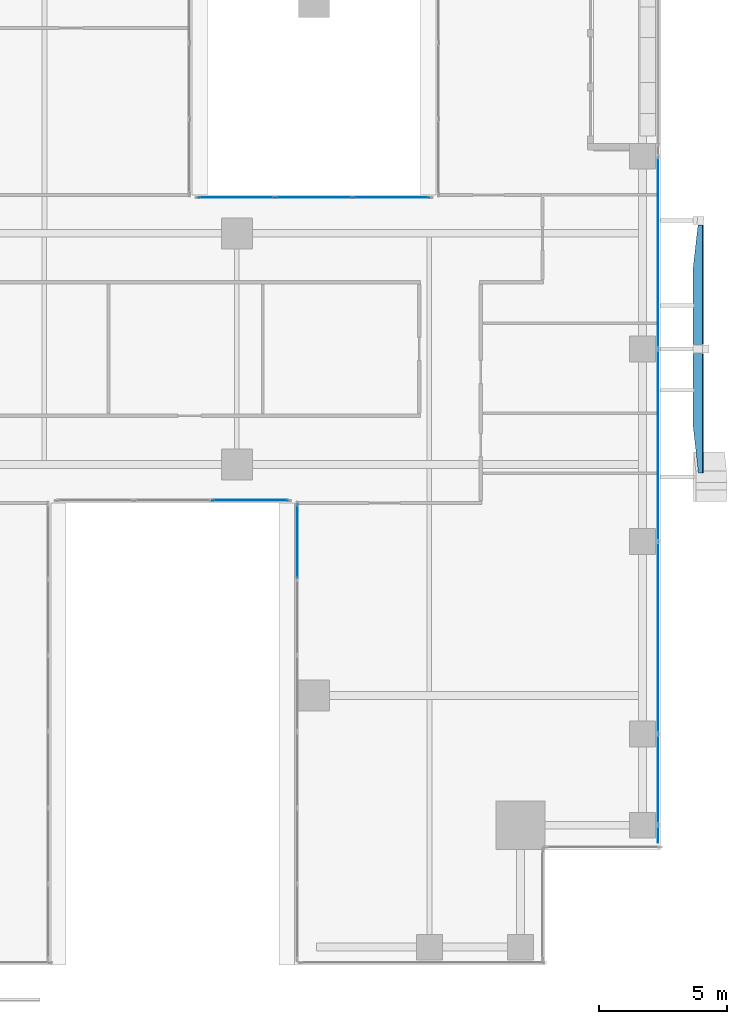
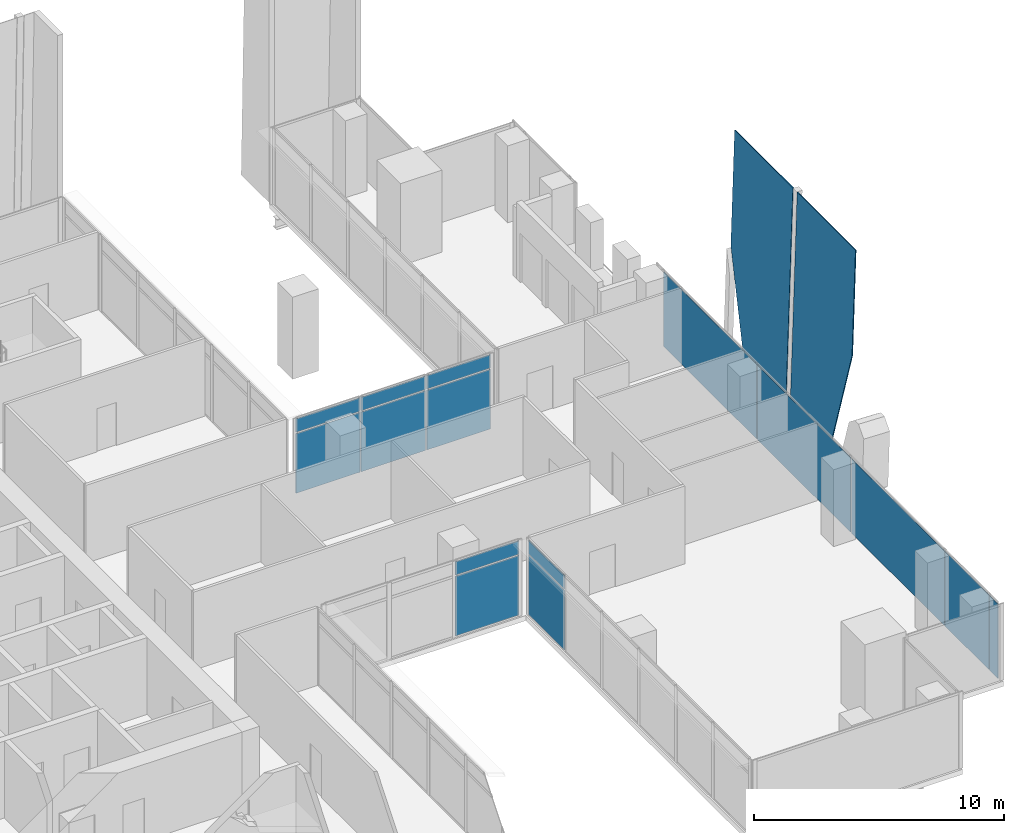
# One storey, part 30 of 40: 17 plates, 4 elements without a shape of their own.
"""IFC4 building model written with IfcOpenShell, lengths in metres."""

from ifc_helpers import new_model, si_unit, direction, frame, origin, origin_2d, place, context, subcontext, project, spatial, polyline, rectangle, outline, extrude, source, transform, mapped, material, layer, layer_set, type_object, element, aggregate, save


model = new_model("IFC4")

# Units and contexts
model_context = context("Model", 3, precision=1e-05, world=origin(), true_north=direction((0.0, 1.0)))
body_context = subcontext(model_context, "Body", "Model", "MODEL_VIEW")
ifc_project = project(units=[si_unit("LENGTHUNIT", "METRE"), si_unit("AREAUNIT", "SQUARE_METRE"), si_unit("VOLUMEUNIT", "CUBIC_METRE"), si_unit("PLANEANGLEUNIT", "RADIAN"), si_unit("MASSUNIT", "GRAM", prefix="KILO")], contexts=[model_context])

# Site, building, storey
site_placement = place(None, origin())
site = spatial("IfcSite", under=ifc_project, at=site_placement, CompositionType="ELEMENT")
building_placement = place(site_placement, origin())
building = spatial("IfcBuilding", under=site, at=building_placement, Name="Khomas Fold Tower", CompositionType="ELEMENT")
storey_placement = place(building_placement, frame((0.0, 0.0, 176.699951171875)))
storey = spatial("IfcBuildingStorey", under=building, at=storey_placement, Name="L38", CompositionType="ELEMENT", Elevation=176.699951171875)

# Plates
ifc_material_1 = material(Name="Clear laminated glass", Category="glass")
ifc_layer_1 = layer(ifc_material_1, 0.0400390625)
ifc_layer_set_1 = layer_set([ifc_layer_1], Name="Clear laminated glass")
plate_type_1 = type_object("IfcPlateType", Name="SK-Clear laminated glass leaf", PredefinedType="SHEET", material=ifc_layer_set_1)
plate_1_placement = place(storey_placement, frame((52.275634765625, 23.965087890625, 0.0), z_axis=(-0.999510308603, 1.1340647e-05, 0.031291258636), x_axis=(0.030144374595, -0.267905665306, 0.962973452997)))
element("IfcPlate", 1, at=plate_1_placement, inside=storey, type_object=plate_type_1, Name="OUTER SKIN glass L38 EG102-2", PredefinedType="SHEET", context=body_context, shape_type="SweptSolid", body=[
    extrude(outline(polyline([(0.0, 0.0), (6.700739286498869, 0.0), (11.614224917873676, 1.366295361932418), (10.365742657286622, 5.856100292730689), (-0.7675471148359744, 2.760260942105915), (0.0, 0.0)])), origin(), (0.0, 0.0, -1.0), 0.0400390625),
])
plate_2_placement = place(storey_placement, frame((52.275634765625, 30.1865234375, 0.0), z_axis=(-0.999510399945, 8.130977e-06, 0.03128834185), x_axis=(-8.126996e-06, -0.999999999967, 2.54405e-07)))
element("IfcPlate", 2, at=plate_2_placement, inside=storey, type_object=plate_type_1, Name="OUTER SKIN glass L38 EG103-4", PredefinedType="SHEET", context=body_context, shape_type="SweptSolid", body=[
    extrude(outline(polyline([(0.0, 0.0), (3.016601562400282, 0.0), (3.016601562291622, 11.555706920615558), (-1.64355468755433, 11.555706920615558), (-1.643554688061862, 5.98242355333528), (0.0, 0.0)])), origin(), (0.0, 0.0, -1.0), 0.0400390625),
])

# Curtain wall, plates
ifc_material_2 = material(Name="Aluminium framed double glazing", Category="aluminium")
curtain_wall_type_1 = type_object("IfcCurtainWallType", Name="SK-Unitised clear-glass wall, office floors CW2", PredefinedType="NOTDEFINED", material=ifc_material_2)
curtain_wall_1_placement = place(storey_placement, origin())
curtain_wall_1 = element("IfcCurtainWall", 3, at=curtain_wall_1_placement, inside=storey, type_object=curtain_wall_type_1, Name="CW2 run L38 08-0", PredefinedType="NOTDEFINED")
ifc_material_3 = material(Name="Clear double glazed unit")
ifc_layer_2 = layer(ifc_material_3, 0.030029296875)
ifc_layer_set_2 = layer_set([ifc_layer_2], Name="Clear double glazed unit")
plate_type_2 = type_object("IfcPlateType", Name="SK-Unitised clear-glass wall, office floors glass panel CW2-P", PredefinedType="CURTAIN_PANEL", material=ifc_layer_set_2)
shared_shape_1 = source(origin(), body_context, "Body", "SweptSolid", [
    extrude(rectangle(XDim=0.659912109375, YDim=0.030029296875, at=origin_2d()), origin(), (0.0, 0.0, 1.0), 3.639892578125),
])
plate_3_placement = place(storey_placement, frame((50.89990234375, 8.090087890625, 0.0), z_axis=(0.0, 0.0, 1.0), x_axis=(0.0, 1.0, 0.0)))
plate_3 = element("IfcPlate", 4, at=plate_3_placement, type_object=plate_type_2, Name="CW2 glass panel 1", PredefinedType="CURTAIN_PANEL", context=body_context, shape_type="MappedRepresentation", body=[
    mapped(shared_shape_1, transform((0.0, 0.0, 0.0))),
])
shared_shape_2 = source(origin(), body_context, "Body", "SweptSolid", [
    extrude(rectangle(XDim=3.489990234375, YDim=0.030029296875, at=origin_2d()), origin(), (0.0, 0.0, 1.0), 3.639892578125),
])
plate_4_placement = place(storey_placement, frame((50.89990234375, 10.22509765625, 0.0), z_axis=(0.0, 0.0, 1.0), x_axis=(0.0, 1.0, 0.0)))
plate_4 = element("IfcPlate", 5, at=plate_4_placement, type_object=plate_type_2, Name="CW2 glass panel 2", PredefinedType="CURTAIN_PANEL", context=body_context, shape_type="MappedRepresentation", body=[
    mapped(shared_shape_2, transform((0.0, 0.0, 0.0))),
])
shared_shape_3 = source(origin(), body_context, "Body", "SweptSolid", [
    extrude(rectangle(XDim=7.43994140625, YDim=0.030029296875, at=origin_2d()), origin(), (0.0, 0.0, 1.0), 3.639892578125),
])
plate_5_placement = place(storey_placement, frame((50.89990234375, 15.75, 0.0), z_axis=(0.0, 0.0, 1.0), x_axis=(0.0, 1.0, 0.0)))
plate_5 = element("IfcPlate", 6, at=plate_5_placement, type_object=plate_type_2, Name="CW2 glass panel 3", PredefinedType="CURTAIN_PANEL", context=body_context, shape_type="MappedRepresentation", body=[
    mapped(shared_shape_3, transform((0.0, 0.0, 0.0))),
])
plate_6_placement = place(storey_placement, frame((50.89990234375, 23.25, 0.0), z_axis=(0.0, 0.0, 1.0), x_axis=(0.0, 1.0, 0.0)))
plate_6 = element("IfcPlate", 7, at=plate_6_placement, type_object=plate_type_2, Name="CW2 glass panel 4", PredefinedType="CURTAIN_PANEL", context=body_context, shape_type="MappedRepresentation", body=[
    mapped(shared_shape_3, transform((0.0, 0.0, 0.0))),
])
plate_7_placement = place(storey_placement, frame((50.89990234375, 30.75, 0.0), z_axis=(0.0, 0.0, 1.0), x_axis=(0.0, 1.0, 0.0)))
plate_7 = element("IfcPlate", 8, at=plate_7_placement, type_object=plate_type_2, Name="CW2 glass panel 5", PredefinedType="CURTAIN_PANEL", context=body_context, shape_type="MappedRepresentation", body=[
    mapped(shared_shape_3, transform((0.0, 0.0, 0.0))),
])
aggregate(curtain_wall_1, [plate_3, plate_4, plate_5, plate_6, plate_7])

ifc_material_4 = material(Name="Aluminium framed double glazing", Category="aluminium")
curtain_wall_type_2 = type_object("IfcCurtainWallType", Name="Notch glazing GN-CW", PredefinedType="NOTDEFINED", material=ifc_material_4)
curtain_wall_2_placement = place(storey_placement, origin())
curtain_wall_2 = element("IfcCurtainWall", 9, at=curtain_wall_2_placement, inside=storey, type_object=curtain_wall_type_2, Name="Notch glazing run", PredefinedType="NOTDEFINED")
ifc_material_5 = material(Name="Double glazed unit")
ifc_layer_3 = layer(ifc_material_5, 0.031982421875)
ifc_layer_set_3 = layer_set([ifc_layer_3], Name="Double glazed unit")
plate_type_3 = type_object("IfcPlateType", Name="Notch glazing panel GN-CW-P", PredefinedType="CURTAIN_PANEL", material=ifc_layer_set_3)
shared_shape_4 = source(origin(), body_context, "Body", "SweptSolid", [
    extrude(rectangle(XDim=2.876708984375, YDim=0.031982421875, at=origin_2d()), origin(), (0.0, 0.0, 1.0), 2.909912109375),
])
plate_8_placement = place(storey_placement, frame((36.85009765625, 19.501708984375, 0.06005859375), z_axis=(0.0, 0.0, 1.0), x_axis=(0.0, -1.0, 0.0)))
plate_8 = element("IfcPlate", 10, at=plate_8_placement, type_object=plate_type_3, Name="GN-CW panel 1.1", PredefinedType="CURTAIN_PANEL", context=body_context, shape_type="MappedRepresentation", body=[
    mapped(shared_shape_4, transform((0.0, 0.0, 0.0))),
])
shared_shape_5 = source(origin(), body_context, "Body", "SweptSolid", [
    extrude(rectangle(XDim=2.876708984375, YDim=0.031982421875, at=origin_2d()), origin(), (0.0, 0.0, 1.0), 0.659912109375),
])
plate_9_placement = place(storey_placement, frame((36.85009765625, 19.501708984375, 3.0302734375), z_axis=(0.0, 0.0, 1.0), x_axis=(0.0, -1.0, 0.0)))
plate_9 = element("IfcPlate", 11, at=plate_9_placement, type_object=plate_type_3, Name="GN-CW panel 1.2", PredefinedType="CURTAIN_PANEL", context=body_context, shape_type="MappedRepresentation", body=[
    mapped(shared_shape_5, transform((0.0, 0.0, 0.0))),
])
aggregate(curtain_wall_2, [plate_8, plate_9])

# Curtain wall, plate
curtain_wall_3_placement = place(storey_placement, origin())
curtain_wall_3 = element("IfcCurtainWall", 12, at=curtain_wall_3_placement, inside=storey, type_object=curtain_wall_type_2, Name="Notch glazing run", PredefinedType="NOTDEFINED")
shared_shape_6 = source(origin(), body_context, "Body", "SweptSolid", [
    extrude(rectangle(XDim=2.943359375, YDim=0.031982421875, at=origin_2d()), origin(), (0.0, 0.0, 1.0), 2.909912109375),
])
plate_10_placement = place(storey_placement, frame((35.018310546875, 21.10009765625, 0.06005859375), z_axis=(0.0, 0.0, 1.0), x_axis=(1.0, 0.0, 0.0)))
plate_10 = element("IfcPlate", 13, at=plate_10_placement, type_object=plate_type_3, Name="GN-CW panel 3.1", PredefinedType="CURTAIN_PANEL", context=body_context, shape_type="MappedRepresentation", body=[
    mapped(shared_shape_6, transform((0.0, 0.0, 0.0))),
])

# Curtain wall, plates
curtain_wall_4_placement = place(storey_placement, origin())
curtain_wall_4 = element("IfcCurtainWall", 14, at=curtain_wall_4_placement, inside=storey, type_object=curtain_wall_type_2, Name="Notch glazing run", PredefinedType="NOTDEFINED")
plate_11_placement = place(storey_placement, frame((40.518310546875, 32.89990234375, 0.06005859375), z_axis=(0.0, 0.0, 1.0), x_axis=(-1.0, 0.0, 0.0)))
plate_11 = element("IfcPlate", 15, at=plate_11_placement, type_object=plate_type_3, Name="GN-CW panel 1.1", PredefinedType="CURTAIN_PANEL", context=body_context, shape_type="MappedRepresentation", body=[
    mapped(shared_shape_6, transform((0.0, 0.0, 0.0))),
])
plate_12_placement = place(storey_placement, frame((34.481689453125, 32.89990234375, 0.06005859375), z_axis=(0.0, 0.0, 1.0), x_axis=(-1.0, 0.0, 0.0)))
plate_12 = element("IfcPlate", 16, at=plate_12_placement, type_object=plate_type_3, Name="GN-CW panel 3.1", PredefinedType="CURTAIN_PANEL", context=body_context, shape_type="MappedRepresentation", body=[
    mapped(shared_shape_6, transform((0.0, 0.0, 0.0))),
])

# Plate
shared_shape_7 = source(origin(), body_context, "Body", "SweptSolid", [
    extrude(rectangle(XDim=2.943359375, YDim=0.031982421875, at=origin_2d()), origin(), (0.0, 0.0, 1.0), 0.659912109375),
])
plate_13_placement = place(storey_placement, frame((35.018310546875, 21.10009765625, 3.0302734375), z_axis=(0.0, 0.0, 1.0), x_axis=(1.0, 0.0, 0.0)))
plate_13 = element("IfcPlate", 17, at=plate_13_placement, type_object=plate_type_3, Name="GN-CW panel 3.2", PredefinedType="CURTAIN_PANEL", context=body_context, shape_type="MappedRepresentation", body=[
    mapped(shared_shape_7, transform((0.0, 0.0, 0.0))),
])

aggregate(curtain_wall_3, [plate_10, plate_13])

plate_14_placement = place(storey_placement, frame((40.518310546875, 32.89990234375, 3.0302734375), z_axis=(0.0, 0.0, 1.0), x_axis=(-1.0, 0.0, 0.0)))
plate_14 = element("IfcPlate", 18, at=plate_14_placement, type_object=plate_type_3, Name="GN-CW panel 1.2", PredefinedType="CURTAIN_PANEL", context=body_context, shape_type="MappedRepresentation", body=[
    mapped(shared_shape_7, transform((0.0, 0.0, 0.0))),
])

plate_15_placement = place(storey_placement, frame((34.481689453125, 32.89990234375, 3.0302734375), z_axis=(0.0, 0.0, 1.0), x_axis=(-1.0, 0.0, 0.0)))
plate_15 = element("IfcPlate", 19, at=plate_15_placement, type_object=plate_type_3, Name="GN-CW panel 3.2", PredefinedType="CURTAIN_PANEL", context=body_context, shape_type="MappedRepresentation", body=[
    mapped(shared_shape_7, transform((0.0, 0.0, 0.0))),
])

shared_shape_8 = source(origin(), body_context, "Body", "SweptSolid", [
    extrude(rectangle(XDim=2.973388671875, YDim=0.031982421875, at=origin_2d()), origin(), (0.0, 0.0, 1.0), 2.909912109375),
])
plate_16_placement = place(storey_placement, frame((37.5, 32.89990234375, 0.06005859375), z_axis=(0.0, 0.0, 1.0), x_axis=(-1.0, 0.0, 0.0)))
plate_16 = element("IfcPlate", 20, at=plate_16_placement, type_object=plate_type_3, Name="GN-CW panel 2.1", PredefinedType="CURTAIN_PANEL", context=body_context, shape_type="MappedRepresentation", body=[
    mapped(shared_shape_8, transform((0.0, 0.0, 0.0))),
])

shared_shape_9 = source(origin(), body_context, "Body", "SweptSolid", [
    extrude(rectangle(XDim=2.973388671875, YDim=0.031982421875, at=origin_2d()), origin(), (0.0, 0.0, 1.0), 0.659912109375),
])
plate_17_placement = place(storey_placement, frame((37.5, 32.89990234375, 3.0302734375), z_axis=(0.0, 0.0, 1.0), x_axis=(-1.0, 0.0, 0.0)))
plate_17 = element("IfcPlate", 21, at=plate_17_placement, type_object=plate_type_3, Name="GN-CW panel 2.2", PredefinedType="CURTAIN_PANEL", context=body_context, shape_type="MappedRepresentation", body=[
    mapped(shared_shape_9, transform((0.0, 0.0, 0.0))),
])

aggregate(curtain_wall_4, [plate_11, plate_14, plate_16, plate_17, plate_12, plate_15])

save(model, "model.ifc")
